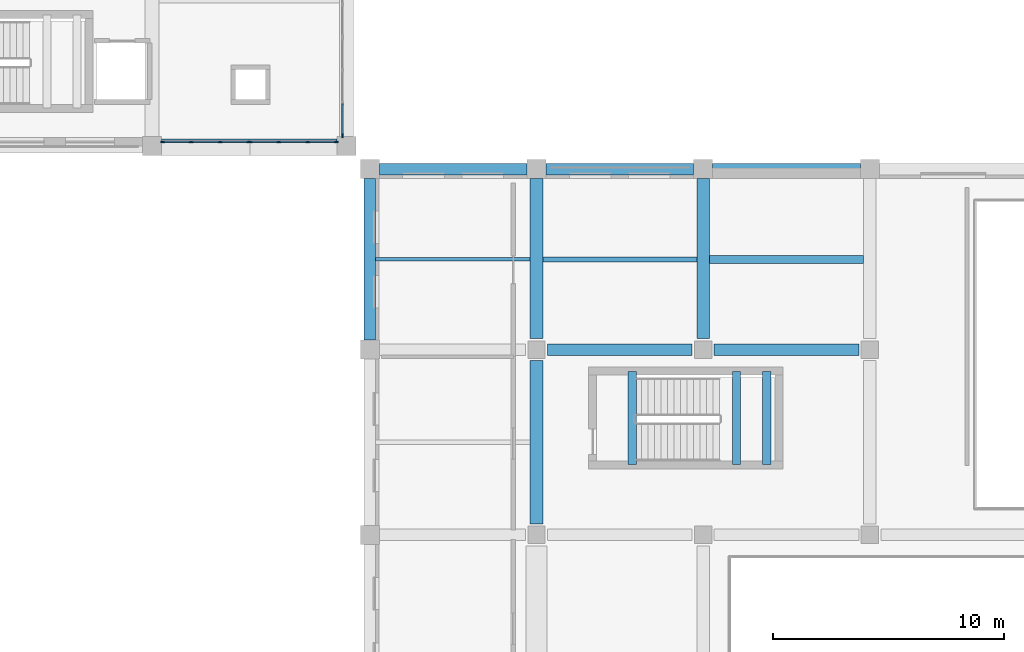
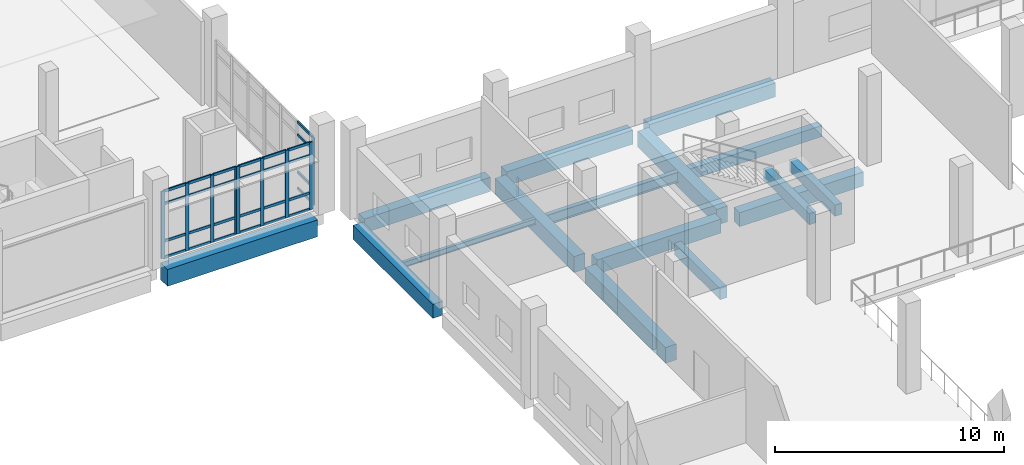
# One storey, part 18 of 73: 37 members, 16 beams, 3 elements without a shape of their own.
"""IFC4 building model written with IfcOpenShell, lengths in metres."""

from ifc_helpers import new_model, si_unit, direction, frame, origin, origin_2d, place, context, subcontext, project, spatial, rectangle, i_section, extrude, material, layer, layer_set, material_profile, profile_set, type_object, element, aggregate, save


model = new_model("IFC4")

# Units and contexts
model_context = context("Model", 3, precision=1e-05, world=origin(), true_north=direction((0.0, 1.0)))
body_context = subcontext(model_context, "Body", "Model", "MODEL_VIEW")
ifc_project = project(units=[si_unit("LENGTHUNIT", "METRE"), si_unit("AREAUNIT", "SQUARE_METRE"), si_unit("VOLUMEUNIT", "CUBIC_METRE"), si_unit("PLANEANGLEUNIT", "RADIAN"), si_unit("MASSUNIT", "GRAM", prefix="KILO")], contexts=[model_context])

# Site, building, storey
site_placement = place(None, origin())
site = spatial("IfcSite", under=ifc_project, at=site_placement, CompositionType="ELEMENT")
building_placement = place(site_placement, origin())
building = spatial("IfcBuilding", under=site, at=building_placement, Name="Kelarvand Opera House", CompositionType="ELEMENT")
storey_placement = place(building_placement, frame((0.0, 0.0, 10.199951171875)))
storey = spatial("IfcBuildingStorey", under=building, at=storey_placement, Name="L02", CompositionType="ELEMENT", Elevation=10.199951171875)

# Curtain wall, member
ifc_material_1 = material(Name="Thermally broken aluminium and low-E glazing", Category="aluminium")
ifc_layer_1 = layer(ifc_material_1, 0.179931640625, Name="Thermally broken aluminium and low-E glazing", Category="aluminium")
ifc_layer_set_1 = layer_set([ifc_layer_1], Name="Thermally broken aluminium and low-E glazing")
curtain_wall_type_1 = type_object("IfcCurtainWallType", Name="Unitised Low-E Curtain Wall 4276x3600 Mod 1350 CWF-16", PredefinedType="USERDEFINED", material=ifc_layer_set_1)
curtain_wall_1_placement = place(storey_placement, origin())
curtain_wall_1 = element("IfcCurtainWall", 1, at=curtain_wall_1_placement, inside=storey, type_object=curtain_wall_type_1, Name="V3 L02 Curtain Wall CWF-16 (70)", ObjectType="UNITISED CURTAIN WALL", PredefinedType="USERDEFINED")
ifc_material_2 = material(Name="Thermally broken anodised aluminium", Category="aluminium")
ifc_material_profile_1 = material_profile(ifc_material_2, rectangle(XDim=0.06494140625, YDim=0.179931640625, at=origin_2d()), Name="ALU MULLION 65x180", Category="aluminium")
ifc_profile_set_1 = profile_set([ifc_material_profile_1], Name="Thermally broken anodised aluminium")
member_type_1 = type_object("IfcMemberType", Name="Curtain Wall Mullion 65x180 Aluminium", PredefinedType="MULLION", material=ifc_profile_set_1)
member_1_placement = place(storey_placement, frame((50.820068359375, 87.652587890625, 0.0), z_axis=(0.0, 0.0, 1.0), x_axis=(1.0, 0.0, 0.0)))
member_1 = element("IfcMember", 2, at=member_1_placement, type_object=member_type_1, Name="CWF-16 mullion 4", PredefinedType="MULLION", context=body_context, shape_type="SweptSolid", body=[
    extrude(rectangle(XDim=0.06494140625, YDim=0.179931640625, at=origin_2d()), origin(), (0.0, 0.0, 1.0), 3.60009765625),
])

# Curtain wall, members
ifc_layer_2 = layer(ifc_material_1, 0.179931640625, Name="Thermally broken aluminium and low-E glazing", Category="aluminium")
ifc_layer_set_2 = layer_set([ifc_layer_2], Name="Thermally broken aluminium and low-E glazing")
curtain_wall_type_2 = type_object("IfcCurtainWallType", Name="Unitised Low-E Curtain Wall 3818x3600 Mod 1350 CWF-18", PredefinedType="USERDEFINED", material=ifc_layer_set_2)
curtain_wall_2_placement = place(storey_placement, origin())
curtain_wall_2 = element("IfcCurtainWall", 3, at=curtain_wall_2_placement, inside=storey, type_object=curtain_wall_type_2, Name="V3 L02 Curtain Wall CWF-18 (81)", ObjectType="UNITISED CURTAIN WALL", PredefinedType="USERDEFINED")
member_2_placement = place(storey_placement, frame((50.547607421875, 87.3798828125, 0.0), z_axis=(0.0, 0.0, 1.0), x_axis=(0.0, -1.0, 0.0)))
member_2 = element("IfcMember", 4, at=member_2_placement, type_object=member_type_1, Name="CWF-18 mullion 1", PredefinedType="MULLION", context=body_context, shape_type="SweptSolid", body=[
    extrude(rectangle(XDim=0.06494140625, YDim=0.179931640625, at=origin_2d()), origin(), (0.0, 0.0, 1.0), 3.60009765625),
])
member_3_placement = place(storey_placement, frame((49.3212890625, 87.3798828125, 0.0), z_axis=(0.0, 0.0, 1.0), x_axis=(0.0, -1.0, 0.0)))
member_3 = element("IfcMember", 5, at=member_3_placement, type_object=member_type_1, Name="CWF-18 mullion 2", PredefinedType="MULLION", context=body_context, shape_type="SweptSolid", body=[
    extrude(rectangle(XDim=0.06494140625, YDim=0.179931640625, at=origin_2d()), origin(), (0.0, 0.0, 1.0), 3.60009765625),
])
member_4_placement = place(storey_placement, frame((48.062744140625, 87.3798828125, 0.0), z_axis=(0.0, 0.0, 1.0), x_axis=(0.0, -1.0, 0.0)))
member_4 = element("IfcMember", 6, at=member_4_placement, type_object=member_type_1, Name="CWF-18 mullion 3", PredefinedType="MULLION", context=body_context, shape_type="SweptSolid", body=[
    extrude(rectangle(XDim=0.06494140625, YDim=0.179931640625, at=origin_2d()), origin(), (0.0, 0.0, 1.0), 3.60009765625),
])
member_5_placement = place(storey_placement, frame((46.83642578125, 87.3798828125, 0.0), z_axis=(0.0, 0.0, 1.0), x_axis=(0.0, -1.0, 0.0)))
member_5 = element("IfcMember", 7, at=member_5_placement, type_object=member_type_1, Name="CWF-18 mullion 4", PredefinedType="MULLION", context=body_context, shape_type="SweptSolid", body=[
    extrude(rectangle(XDim=0.06494140625, YDim=0.179931640625, at=origin_2d()), origin(), (0.0, 0.0, 1.0), 3.60009765625),
])

curtain_wall_3_placement = place(storey_placement, origin())
curtain_wall_3 = element("IfcCurtainWall", 8, at=curtain_wall_3_placement, inside=storey, type_object=curtain_wall_type_2, Name="V3 L02 Curtain Wall CWF-18 (82)", ObjectType="UNITISED CURTAIN WALL", PredefinedType="USERDEFINED")
member_6_placement = place(storey_placement, frame((46.767578125, 87.3798828125, 0.0), z_axis=(0.0, 0.0, 1.0), x_axis=(0.0, -1.0, 0.0)))
member_6 = element("IfcMember", 9, at=member_6_placement, type_object=member_type_1, Name="CWF-18 mullion 1", PredefinedType="MULLION", context=body_context, shape_type="SweptSolid", body=[
    extrude(rectangle(XDim=0.06494140625, YDim=0.179931640625, at=origin_2d()), origin(), (0.0, 0.0, 1.0), 3.60009765625),
])
member_7_placement = place(storey_placement, frame((45.5400390625, 87.3798828125, 0.0), z_axis=(0.0, 0.0, 1.0), x_axis=(0.0, -1.0, 0.0)))
member_7 = element("IfcMember", 10, at=member_7_placement, type_object=member_type_1, Name="CWF-18 mullion 2", PredefinedType="MULLION", context=body_context, shape_type="SweptSolid", body=[
    extrude(rectangle(XDim=0.06494140625, YDim=0.179931640625, at=origin_2d()), origin(), (0.0, 0.0, 1.0), 3.60009765625),
])
member_8_placement = place(storey_placement, frame((44.280029296875, 87.3798828125, 0.0), z_axis=(0.0, 0.0, 1.0), x_axis=(0.0, -1.0, 0.0)))
member_8 = element("IfcMember", 11, at=member_8_placement, type_object=member_type_1, Name="CWF-18 mullion 3", PredefinedType="MULLION", context=body_context, shape_type="SweptSolid", body=[
    extrude(rectangle(XDim=0.06494140625, YDim=0.179931640625, at=origin_2d()), origin(), (0.0, 0.0, 1.0), 3.60009765625),
])
member_9_placement = place(storey_placement, frame((43.052490234375, 87.3798828125, 0.0), z_axis=(0.0, 0.0, 1.0), x_axis=(0.0, -1.0, 0.0)))
member_9 = element("IfcMember", 12, at=member_9_placement, type_object=member_type_1, Name="CWF-18 mullion 4", PredefinedType="MULLION", context=body_context, shape_type="SweptSolid", body=[
    extrude(rectangle(XDim=0.06494140625, YDim=0.179931640625, at=origin_2d()), origin(), (0.0, 0.0, 1.0), 3.60009765625),
])

# Member
ifc_material_profile_2 = material_profile(ifc_material_2, rectangle(XDim=0.06494140625, YDim=0.139892578125, at=origin_2d()), Name="ALU TRANSOM 65x140", Category="aluminium")
ifc_profile_set_2 = profile_set([ifc_material_profile_2], Name="Thermally broken anodised aluminium")
member_type_2 = type_object("IfcMemberType", Name="Curtain Wall Transom 65x140 Aluminium", PredefinedType="USERDEFINED", material=ifc_profile_set_2)
member_10_placement = place(storey_placement, frame((50.820068359375, 89.01416015625, 0.032470703125), z_axis=(0.0, -1.0, 0.0), x_axis=(1.0, 0.0, 0.0)))
member_10 = element("IfcMember", 13, at=member_10_placement, type_object=member_type_2, Name="CWF-16 transom 3.1", ObjectType="TRANSOM", PredefinedType="USERDEFINED", context=body_context, shape_type="SweptSolid", body=[
    extrude(rectangle(XDim=0.06494140625, YDim=0.139892578125, at=origin_2d()), origin(), (0.0, 0.0, 1.0), 1.3291015625),
])

member_11_placement = place(storey_placement, frame((50.820068359375, 89.01416015625, 0.900146484375), z_axis=(0.0, -1.0, 0.0), x_axis=(1.0, 0.0, 0.0)))
member_11 = element("IfcMember", 14, at=member_11_placement, type_object=member_type_2, Name="CWF-16 transom 3.2", ObjectType="TRANSOM", PredefinedType="USERDEFINED", context=body_context, shape_type="SweptSolid", body=[
    extrude(rectangle(XDim=0.06494140625, YDim=0.139892578125, at=origin_2d()), origin(), (0.0, 0.0, 1.0), 1.3291015625),
])

member_12_placement = place(storey_placement, frame((50.820068359375, 89.01416015625, 2.900146484375), z_axis=(0.0, -1.0, 0.0), x_axis=(1.0, 0.0, 0.0)))
member_12 = element("IfcMember", 15, at=member_12_placement, type_object=member_type_2, Name="CWF-16 transom 3.3", ObjectType="TRANSOM", PredefinedType="USERDEFINED", context=body_context, shape_type="SweptSolid", body=[
    extrude(rectangle(XDim=0.06494140625, YDim=0.139892578125, at=origin_2d()), origin(), (0.0, 0.0, 1.0), 1.3291015625),
])

member_13_placement = place(storey_placement, frame((50.820068359375, 89.01416015625, 3.567626953125), z_axis=(0.0, -1.0, 0.0), x_axis=(1.0, 0.0, 0.0)))
member_13 = element("IfcMember", 16, at=member_13_placement, type_object=member_type_2, Name="CWF-16 transom 3.4", ObjectType="TRANSOM", PredefinedType="USERDEFINED", context=body_context, shape_type="SweptSolid", body=[
    extrude(rectangle(XDim=0.06494140625, YDim=0.139892578125, at=origin_2d()), origin(), (0.0, 0.0, 1.0), 1.3291015625),
])

aggregate(curtain_wall_1, [member_1, member_10, member_11, member_12, member_13])

member_14_placement = place(storey_placement, frame((50.514892578125, 87.3798828125, 0.032470703125), z_axis=(-1.0, 0.0, 0.0), x_axis=(0.0, -1.0, 0.0)))
member_14 = element("IfcMember", 17, at=member_14_placement, type_object=member_type_2, Name="CWF-18 transom 1.1", ObjectType="TRANSOM", PredefinedType="USERDEFINED", context=body_context, shape_type="SweptSolid", body=[
    extrude(rectangle(XDim=0.06494140625, YDim=0.139892578125, at=origin_2d()), origin(), (0.0, 0.0, 1.0), 1.1611328125),
])

member_15_placement = place(storey_placement, frame((50.514892578125, 87.3798828125, 0.900146484375), z_axis=(-1.0, 0.0, 0.0), x_axis=(0.0, -1.0, 0.0)))
member_15 = element("IfcMember", 18, at=member_15_placement, type_object=member_type_2, Name="CWF-18 transom 1.2", ObjectType="TRANSOM", PredefinedType="USERDEFINED", context=body_context, shape_type="SweptSolid", body=[
    extrude(rectangle(XDim=0.06494140625, YDim=0.139892578125, at=origin_2d()), origin(), (0.0, 0.0, 1.0), 1.1611328125),
])

member_16_placement = place(storey_placement, frame((50.514892578125, 87.3798828125, 2.900146484375), z_axis=(-1.0, 0.0, 0.0), x_axis=(0.0, -1.0, 0.0)))
member_16 = element("IfcMember", 19, at=member_16_placement, type_object=member_type_2, Name="CWF-18 transom 1.3", ObjectType="TRANSOM", PredefinedType="USERDEFINED", context=body_context, shape_type="SweptSolid", body=[
    extrude(rectangle(XDim=0.06494140625, YDim=0.139892578125, at=origin_2d()), origin(), (0.0, 0.0, 1.0), 1.1611328125),
])

member_17_placement = place(storey_placement, frame((50.514892578125, 87.3798828125, 3.567626953125), z_axis=(-1.0, 0.0, 0.0), x_axis=(0.0, -1.0, 0.0)))
member_17 = element("IfcMember", 20, at=member_17_placement, type_object=member_type_2, Name="CWF-18 transom 1.4", ObjectType="TRANSOM", PredefinedType="USERDEFINED", context=body_context, shape_type="SweptSolid", body=[
    extrude(rectangle(XDim=0.06494140625, YDim=0.139892578125, at=origin_2d()), origin(), (0.0, 0.0, 1.0), 1.1611328125),
])

member_18_placement = place(storey_placement, frame((49.288818359375, 87.3798828125, 0.032470703125), z_axis=(-1.0, 0.0, 0.0), x_axis=(0.0, -1.0, 0.0)))
member_18 = element("IfcMember", 21, at=member_18_placement, type_object=member_type_2, Name="CWF-18 transom 2.1", ObjectType="TRANSOM", PredefinedType="USERDEFINED", context=body_context, shape_type="SweptSolid", body=[
    extrude(rectangle(XDim=0.06494140625, YDim=0.139892578125, at=origin_2d()), origin(), (0.0, 0.0, 1.0), 1.193603515625),
])

member_19_placement = place(storey_placement, frame((49.288818359375, 87.3798828125, 0.900146484375), z_axis=(-1.0, 0.0, 0.0), x_axis=(0.0, -1.0, 0.0)))
member_19 = element("IfcMember", 22, at=member_19_placement, type_object=member_type_2, Name="CWF-18 transom 2.2", ObjectType="TRANSOM", PredefinedType="USERDEFINED", context=body_context, shape_type="SweptSolid", body=[
    extrude(rectangle(XDim=0.06494140625, YDim=0.139892578125, at=origin_2d()), origin(), (0.0, 0.0, 1.0), 1.193603515625),
])

member_20_placement = place(storey_placement, frame((49.288818359375, 87.3798828125, 2.900146484375), z_axis=(-1.0, 0.0, 0.0), x_axis=(0.0, -1.0, 0.0)))
member_20 = element("IfcMember", 23, at=member_20_placement, type_object=member_type_2, Name="CWF-18 transom 2.3", ObjectType="TRANSOM", PredefinedType="USERDEFINED", context=body_context, shape_type="SweptSolid", body=[
    extrude(rectangle(XDim=0.06494140625, YDim=0.139892578125, at=origin_2d()), origin(), (0.0, 0.0, 1.0), 1.193603515625),
])

member_21_placement = place(storey_placement, frame((49.288818359375, 87.3798828125, 3.567626953125), z_axis=(-1.0, 0.0, 0.0), x_axis=(0.0, -1.0, 0.0)))
member_21 = element("IfcMember", 24, at=member_21_placement, type_object=member_type_2, Name="CWF-18 transom 2.4", ObjectType="TRANSOM", PredefinedType="USERDEFINED", context=body_context, shape_type="SweptSolid", body=[
    extrude(rectangle(XDim=0.06494140625, YDim=0.139892578125, at=origin_2d()), origin(), (0.0, 0.0, 1.0), 1.193603515625),
])

member_22_placement = place(storey_placement, frame((48.0302734375, 87.3798828125, 0.032470703125), z_axis=(-1.0, 0.0, 0.0), x_axis=(0.0, -1.0, 0.0)))
member_22 = element("IfcMember", 25, at=member_22_placement, type_object=member_type_2, Name="CWF-18 transom 3.1", ObjectType="TRANSOM", PredefinedType="USERDEFINED", context=body_context, shape_type="SweptSolid", body=[
    extrude(rectangle(XDim=0.06494140625, YDim=0.139892578125, at=origin_2d()), origin(), (0.0, 0.0, 1.0), 1.161376953125),
])

member_23_placement = place(storey_placement, frame((48.0302734375, 87.3798828125, 0.900146484375), z_axis=(-1.0, 0.0, 0.0), x_axis=(0.0, -1.0, 0.0)))
member_23 = element("IfcMember", 26, at=member_23_placement, type_object=member_type_2, Name="CWF-18 transom 3.2", ObjectType="TRANSOM", PredefinedType="USERDEFINED", context=body_context, shape_type="SweptSolid", body=[
    extrude(rectangle(XDim=0.06494140625, YDim=0.139892578125, at=origin_2d()), origin(), (0.0, 0.0, 1.0), 1.161376953125),
])

member_24_placement = place(storey_placement, frame((48.0302734375, 87.3798828125, 2.900146484375), z_axis=(-1.0, 0.0, 0.0), x_axis=(0.0, -1.0, 0.0)))
member_24 = element("IfcMember", 27, at=member_24_placement, type_object=member_type_2, Name="CWF-18 transom 3.3", ObjectType="TRANSOM", PredefinedType="USERDEFINED", context=body_context, shape_type="SweptSolid", body=[
    extrude(rectangle(XDim=0.06494140625, YDim=0.139892578125, at=origin_2d()), origin(), (0.0, 0.0, 1.0), 1.161376953125),
])

member_25_placement = place(storey_placement, frame((48.0302734375, 87.3798828125, 3.567626953125), z_axis=(-1.0, 0.0, 0.0), x_axis=(0.0, -1.0, 0.0)))
member_25 = element("IfcMember", 28, at=member_25_placement, type_object=member_type_2, Name="CWF-18 transom 3.4", ObjectType="TRANSOM", PredefinedType="USERDEFINED", context=body_context, shape_type="SweptSolid", body=[
    extrude(rectangle(XDim=0.06494140625, YDim=0.139892578125, at=origin_2d()), origin(), (0.0, 0.0, 1.0), 1.161376953125),
])

aggregate(curtain_wall_2, [member_2, member_3, member_4, member_5, member_14, member_15, member_16, member_17, member_18, member_19, member_20, member_21, member_22, member_23, member_24, member_25])

member_26_placement = place(storey_placement, frame((46.735107421875, 87.3798828125, 0.032470703125), z_axis=(-1.0, 0.0, 0.0), x_axis=(0.0, -1.0, 0.0)))
member_26 = element("IfcMember", 29, at=member_26_placement, type_object=member_type_2, Name="CWF-18 transom 1.1", ObjectType="TRANSOM", PredefinedType="USERDEFINED", context=body_context, shape_type="SweptSolid", body=[
    extrude(rectangle(XDim=0.06494140625, YDim=0.139892578125, at=origin_2d()), origin(), (0.0, 0.0, 1.0), 1.16259765625),
])

member_27_placement = place(storey_placement, frame((46.735107421875, 87.3798828125, 0.900146484375), z_axis=(-1.0, 0.0, 0.0), x_axis=(0.0, -1.0, 0.0)))
member_27 = element("IfcMember", 30, at=member_27_placement, type_object=member_type_2, Name="CWF-18 transom 1.2", ObjectType="TRANSOM", PredefinedType="USERDEFINED", context=body_context, shape_type="SweptSolid", body=[
    extrude(rectangle(XDim=0.06494140625, YDim=0.139892578125, at=origin_2d()), origin(), (0.0, 0.0, 1.0), 1.16259765625),
])

member_28_placement = place(storey_placement, frame((46.735107421875, 87.3798828125, 2.900146484375), z_axis=(-1.0, 0.0, 0.0), x_axis=(0.0, -1.0, 0.0)))
member_28 = element("IfcMember", 31, at=member_28_placement, type_object=member_type_2, Name="CWF-18 transom 1.3", ObjectType="TRANSOM", PredefinedType="USERDEFINED", context=body_context, shape_type="SweptSolid", body=[
    extrude(rectangle(XDim=0.06494140625, YDim=0.139892578125, at=origin_2d()), origin(), (0.0, 0.0, 1.0), 1.16259765625),
])

member_29_placement = place(storey_placement, frame((46.735107421875, 87.3798828125, 3.567626953125), z_axis=(-1.0, 0.0, 0.0), x_axis=(0.0, -1.0, 0.0)))
member_29 = element("IfcMember", 32, at=member_29_placement, type_object=member_type_2, Name="CWF-18 transom 1.4", ObjectType="TRANSOM", PredefinedType="USERDEFINED", context=body_context, shape_type="SweptSolid", body=[
    extrude(rectangle(XDim=0.06494140625, YDim=0.139892578125, at=origin_2d()), origin(), (0.0, 0.0, 1.0), 1.16259765625),
])

member_30_placement = place(storey_placement, frame((45.507568359375, 87.3798828125, 0.032470703125), z_axis=(-1.0, 0.0, 0.0), x_axis=(0.0, -1.0, 0.0)))
member_30 = element("IfcMember", 33, at=member_30_placement, type_object=member_type_2, Name="CWF-18 transom 2.1", ObjectType="TRANSOM", PredefinedType="USERDEFINED", context=body_context, shape_type="SweptSolid", body=[
    extrude(rectangle(XDim=0.06494140625, YDim=0.139892578125, at=origin_2d()), origin(), (0.0, 0.0, 1.0), 1.195068359375),
])

member_31_placement = place(storey_placement, frame((45.507568359375, 87.3798828125, 0.900146484375), z_axis=(-1.0, 0.0, 0.0), x_axis=(0.0, -1.0, 0.0)))
member_31 = element("IfcMember", 34, at=member_31_placement, type_object=member_type_2, Name="CWF-18 transom 2.2", ObjectType="TRANSOM", PredefinedType="USERDEFINED", context=body_context, shape_type="SweptSolid", body=[
    extrude(rectangle(XDim=0.06494140625, YDim=0.139892578125, at=origin_2d()), origin(), (0.0, 0.0, 1.0), 1.195068359375),
])

member_32_placement = place(storey_placement, frame((45.507568359375, 87.3798828125, 2.900146484375), z_axis=(-1.0, 0.0, 0.0), x_axis=(0.0, -1.0, 0.0)))
member_32 = element("IfcMember", 35, at=member_32_placement, type_object=member_type_2, Name="CWF-18 transom 2.3", ObjectType="TRANSOM", PredefinedType="USERDEFINED", context=body_context, shape_type="SweptSolid", body=[
    extrude(rectangle(XDim=0.06494140625, YDim=0.139892578125, at=origin_2d()), origin(), (0.0, 0.0, 1.0), 1.195068359375),
])

member_33_placement = place(storey_placement, frame((45.507568359375, 87.3798828125, 3.567626953125), z_axis=(-1.0, 0.0, 0.0), x_axis=(0.0, -1.0, 0.0)))
member_33 = element("IfcMember", 36, at=member_33_placement, type_object=member_type_2, Name="CWF-18 transom 2.4", ObjectType="TRANSOM", PredefinedType="USERDEFINED", context=body_context, shape_type="SweptSolid", body=[
    extrude(rectangle(XDim=0.06494140625, YDim=0.139892578125, at=origin_2d()), origin(), (0.0, 0.0, 1.0), 1.195068359375),
])

member_34_placement = place(storey_placement, frame((44.24755859375, 87.3798828125, 0.032470703125), z_axis=(-1.0, 0.0, 0.0), x_axis=(0.0, -1.0, 0.0)))
member_34 = element("IfcMember", 37, at=member_34_placement, type_object=member_type_2, Name="CWF-18 transom 3.1", ObjectType="TRANSOM", PredefinedType="USERDEFINED", context=body_context, shape_type="SweptSolid", body=[
    extrude(rectangle(XDim=0.06494140625, YDim=0.139892578125, at=origin_2d()), origin(), (0.0, 0.0, 1.0), 1.16259765625),
])

member_35_placement = place(storey_placement, frame((44.24755859375, 87.3798828125, 0.900146484375), z_axis=(-1.0, 0.0, 0.0), x_axis=(0.0, -1.0, 0.0)))
member_35 = element("IfcMember", 38, at=member_35_placement, type_object=member_type_2, Name="CWF-18 transom 3.2", ObjectType="TRANSOM", PredefinedType="USERDEFINED", context=body_context, shape_type="SweptSolid", body=[
    extrude(rectangle(XDim=0.06494140625, YDim=0.139892578125, at=origin_2d()), origin(), (0.0, 0.0, 1.0), 1.16259765625),
])

member_36_placement = place(storey_placement, frame((44.24755859375, 87.3798828125, 2.900146484375), z_axis=(-1.0, 0.0, 0.0), x_axis=(0.0, -1.0, 0.0)))
member_36 = element("IfcMember", 39, at=member_36_placement, type_object=member_type_2, Name="CWF-18 transom 3.3", ObjectType="TRANSOM", PredefinedType="USERDEFINED", context=body_context, shape_type="SweptSolid", body=[
    extrude(rectangle(XDim=0.06494140625, YDim=0.139892578125, at=origin_2d()), origin(), (0.0, 0.0, 1.0), 1.16259765625),
])

member_37_placement = place(storey_placement, frame((44.24755859375, 87.3798828125, 3.567626953125), z_axis=(-1.0, 0.0, 0.0), x_axis=(0.0, -1.0, 0.0)))
member_37 = element("IfcMember", 40, at=member_37_placement, type_object=member_type_2, Name="CWF-18 transom 3.4", ObjectType="TRANSOM", PredefinedType="USERDEFINED", context=body_context, shape_type="SweptSolid", body=[
    extrude(rectangle(XDim=0.06494140625, YDim=0.139892578125, at=origin_2d()), origin(), (0.0, 0.0, 1.0), 1.16259765625),
])

aggregate(curtain_wall_3, [member_6, member_7, member_8, member_9, member_26, member_27, member_28, member_29, member_30, member_31, member_32, member_33, member_34, member_35, member_36, member_37])

# Beams
ifc_material_3 = material(Name="Concrete C35/45", Category="concrete")
ifc_material_profile_3 = material_profile(ifc_material_3, rectangle(XDim=0.35009765625, YDim=0.60009765625, at=origin_2d()), Name="RC 350x600", Category="concrete")
ifc_profile_set_3 = profile_set([ifc_material_profile_3], Name="Concrete C35/45")
beam_type_1 = type_object("IfcBeamType", Name="Structural Beam RC 350x600 BM-RC350x600", PredefinedType="BEAM", material=ifc_profile_set_3)
beam_1_placement = place(storey_placement, frame((66.675048828125, 82.300048828125, -0.619873046875), z_axis=(1.0, 0.0, 0.0), x_axis=(0.0, 1.0, 0.0)))
element("IfcBeam", 41, at=beam_1_placement, inside=storey, type_object=beam_type_1, Name="V2 L02 Beam BM-RC350x600", PredefinedType="BEAM", context=body_context, shape_type="SweptSolid", body=[
    extrude(rectangle(XDim=0.35009765625, YDim=0.60009765625, at=origin_2d()), origin(), (0.0, 0.0, 1.0), 6.64990234375),
])
for number, where, z_axis, x_axis, name in (
    (42, (63.340087890625, 73.449951171875, -0.52001953125), (0.0, 1.0, 0.0), (-1.0, 0.0, 0.0), "C3 Stair Landing Support Beam L02"),
    (43, (67.85009765625, 73.449951171875, 1.900146484375), (0.0, 1.0, 0.0), (-1.0, 0.0, 0.0), "C3 Stair Half-Landing Beam 1 L02"),
    (44, (69.14990234375, 73.449951171875, 1.900146484375), (0.0, 1.0, 0.0), (-1.0, 0.0, 0.0), "C3 Stair Half-Landing Beam 2 L02"),
):
    element("IfcBeam", number, at=place(storey_placement, frame(where, z_axis=z_axis, x_axis=x_axis)), inside=storey, type_object=beam_type_1, Name=name, PredefinedType="BEAM", context=body_context, shape_type="SweptSolid", body=[
        extrude(rectangle(XDim=0.35009765625, YDim=0.60009765625, at=origin_2d()), origin(), (0.0, 0.0, 1.0), 4.0),
    ])
ifc_material_4 = material(Name="Concrete C40/50", Category="concrete")
ifc_material_profile_4 = material_profile(ifc_material_4, rectangle(XDim=0.5, YDim=0.75, at=origin_2d()), Name="RC 500x750", Category="concrete")
ifc_profile_set_4 = profile_set([ifc_material_profile_4], Name="Concrete C40/50")
beam_type_2 = type_object("IfcBeamType", Name="Structural Beam RC 500x750 BM-RC500x750", PredefinedType="BEAM", material=ifc_profile_set_4)
for number, where, z_axis, x_axis, name in (
    (45, (59.675048828125, 78.39990234375, -0.695068359375), (1.0, 0.0, 0.0), (0.0, 1.0, 0.0), "V2 L02 Beam BM-RC500x750"),
    (46, (66.875, 78.39990234375, -0.695068359375), (1.0, 0.0, 0.0), (0.0, 1.0, 0.0), "V2 L02 Beam BM-RC500x750"),
):
    element("IfcBeam", number, at=place(storey_placement, frame(where, z_axis=z_axis, x_axis=x_axis)), inside=storey, type_object=beam_type_2, Name=name, PredefinedType="BEAM", context=body_context, shape_type="SweptSolid", body=[
        extrude(rectangle(XDim=0.5, YDim=0.75, at=origin_2d()), origin(), (0.0, 0.0, 1.0), 6.25),
    ])
ifc_material_profile_5 = material_profile(ifc_material_4, rectangle(XDim=0.550048828125, YDim=0.85009765625, at=origin_2d()), Name="RC 550x850", Category="concrete")
ifc_profile_set_5 = profile_set([ifc_material_profile_5], Name="Concrete C40/50")
beam_type_3 = type_object("IfcBeamType", Name="Structural Beam RC 550x850 BM-RC550x850", PredefinedType="BEAM", material=ifc_profile_set_5)
beam_2_placement = place(storey_placement, frame((59.199951171875, 70.875, -0.744873046875), z_axis=(0.0, 1.0, 0.0), x_axis=(-1.0, 0.0, 0.0)))
element("IfcBeam", 47, at=beam_2_placement, inside=storey, type_object=beam_type_3, Name="V2 L02 Beam BM-RC550x850", PredefinedType="BEAM", context=body_context, shape_type="SweptSolid", body=[
    extrude(rectangle(XDim=0.550048828125, YDim=0.85009765625, at=origin_2d()), origin(), (0.0, 0.0, 1.0), 7.050048828125),
])
for number, where, z_axis, x_axis, name in (
    (48, (59.199951171875, 78.875, -0.744873046875), (0.0, 1.0, 0.0), (-1.0, 0.0, 0.0), "V2 L02 Beam BM-RC550x850"),
    (49, (66.39990234375, 78.875, -0.744873046875), (0.0, 1.0, 0.0), (-1.0, 0.0, 0.0), "V2 L02 Beam BM-RC550x850"),
):
    element("IfcBeam", number, at=place(storey_placement, frame(where, z_axis=z_axis, x_axis=x_axis)), inside=storey, type_object=beam_type_3, Name=name, PredefinedType="BEAM", context=body_context, shape_type="SweptSolid", body=[
        extrude(rectangle(XDim=0.550048828125, YDim=0.85009765625, at=origin_2d()), origin(), (0.0, 0.0, 1.0), 6.9150390625),
    ])
ifc_material_5 = material(Name="Steel S355", Category="steel")
ifc_material_profile_6 = material_profile(ifc_material_5, i_section(OverallWidth=0.14990234375, OverallDepth=0.300048828125, WebThickness=0.007080078125, FlangeThickness=0.0107421875, at=origin_2d()), Name="IPE 300", Category="steel")
ifc_profile_set_6 = profile_set([ifc_material_profile_6], Name="Steel S355")
beam_type_4 = type_object("IfcBeamType", Name="Structural Joist IPE 300 JS-IPE300", PredefinedType="JOIST", material=ifc_profile_set_6)
beam_3_placement = place(storey_placement, frame((52.25, 82.300048828125, -0.469970703125), z_axis=(1.0, 0.0, 0.0), x_axis=(0.0, 1.0, 0.0)))
element("IfcBeam", 50, at=beam_3_placement, inside=storey, type_object=beam_type_4, Name="V2 L02 Beam JS-IPE300", PredefinedType="JOIST", context=body_context, shape_type="SweptSolid", body=[
    extrude(i_section(OverallWidth=0.14990234375, OverallDepth=0.300048828125, WebThickness=0.007080078125, FlangeThickness=0.0107421875, at=origin_2d()), origin(), (0.0, 0.0, 1.0), 6.675048828125),
])
ifc_material_profile_7 = material_profile(ifc_material_5, i_section(OverallWidth=0.2099609375, OverallDepth=0.550048828125, WebThickness=0.010986328125, FlangeThickness=0.01708984375, at=origin_2d()), Name="IPE 550", Category="steel")
ifc_profile_set_7 = profile_set([ifc_material_profile_7], Name="Steel S355")
beam_type_5 = type_object("IfcBeamType", Name="Structural Joist IPE 550 JS-IPE550", PredefinedType="JOIST", material=ifc_profile_set_7)
beam_4_placement = place(storey_placement, frame((59.47509765625, 82.300048828125, -0.594970703125), z_axis=(1.0, 0.0, 0.0), x_axis=(0.0, 1.0, 0.0)))
element("IfcBeam", 51, at=beam_4_placement, inside=storey, type_object=beam_type_5, Name="V2 L02 Beam JS-IPE550", PredefinedType="JOIST", context=body_context, shape_type="SweptSolid", body=[
    extrude(i_section(OverallWidth=0.2099609375, OverallDepth=0.550048828125, WebThickness=0.010986328125, FlangeThickness=0.01708984375, at=origin_2d()), origin(), (0.0, 0.0, 1.0), 6.64990234375),
])
ifc_material_profile_8 = material_profile(ifc_material_4, rectangle(XDim=0.5, YDim=0.75, at=origin_2d()), Name="RC 500x750", Category="concrete")
ifc_profile_set_8 = profile_set([ifc_material_profile_8], Name="Concrete C40/50")
beam_type_6 = type_object("IfcBeamType", Name="Structural Spandrel RC 500x750 SP-RC500x750E", PredefinedType="SPANDREL", material=ifc_profile_set_8)
beam_5_placement = place(storey_placement, frame((52.409912109375, 86.199951171875, -0.695068359375), z_axis=(1.0, 0.0, 0.0), x_axis=(0.0, 1.0, 0.0)))
element("IfcBeam", 52, at=beam_5_placement, inside=storey, type_object=beam_type_6, Name="V2 L02 Beam SP-RC500x750E", PredefinedType="SPANDREL", context=body_context, shape_type="SweptSolid", body=[
    extrude(rectangle(XDim=0.5, YDim=0.75, at=origin_2d()), origin(), (0.0, 0.0, 1.0), 6.380126953125),
])
for number, where, z_axis, x_axis, name in (
    (53, (59.610107421875, 86.199951171875, -0.695068359375), (1.0, 0.0, 0.0), (0.0, 1.0, 0.0), "V2 L02 Beam SP-RC500x750E"),
    (54, (66.81005859375, 86.199951171875, -0.695068359375), (1.0, 0.0, 0.0), (0.0, 1.0, 0.0), "V2 L02 Beam SP-RC500x750E"),
):
    element("IfcBeam", number, at=place(storey_placement, frame(where, z_axis=z_axis, x_axis=x_axis)), inside=storey, type_object=beam_type_6, Name=name, PredefinedType="SPANDREL", context=body_context, shape_type="SweptSolid", body=[
        extrude(rectangle(XDim=0.5, YDim=0.75, at=origin_2d()), origin(), (0.0, 0.0, 1.0), 6.3798828125),
    ])
beam_6_placement = place(storey_placement, frame((52.0, 78.81005859375, -0.695068359375), z_axis=(0.0, 1.0, 0.0), x_axis=(-1.0, 0.0, 0.0)))
element("IfcBeam", 55, at=beam_6_placement, inside=storey, type_object=beam_type_6, Name="V2 L02 Beam SP-RC500x750E", PredefinedType="SPANDREL", context=body_context, shape_type="SweptSolid", body=[
    extrude(rectangle(XDim=0.5, YDim=0.75, at=origin_2d()), origin(), (0.0, 0.0, 1.0), 6.97998046875),
])
ifc_material_profile_9 = material_profile(ifc_material_4, rectangle(XDim=0.60009765625, YDim=0.89990234375, at=origin_2d()), Name="RC 600x900", Category="concrete")
ifc_profile_set_9 = profile_set([ifc_material_profile_9], Name="Concrete C40/50")
beam_type_7 = type_object("IfcBeamType", Name="Structural Spandrel RC 600x900 SP-RC600x900E", PredefinedType="SPANDREL", material=ifc_profile_set_9)
beam_7_placement = place(storey_placement, frame((43.010009765625, 87.199951171875, -0.75), z_axis=(1.0, 0.0, 0.0), x_axis=(0.0, 1.0, 0.0)))
element("IfcBeam", 56, at=beam_7_placement, inside=storey, type_object=beam_type_7, Name="V3 L02 Beam SP-RC600x900E", PredefinedType="SPANDREL", context=body_context, shape_type="SweptSolid", body=[
    extrude(rectangle(XDim=0.60009765625, YDim=0.89990234375, at=origin_2d()), origin(), (0.0, 0.0, 1.0), 7.580078125),
])

save(model, "model.ifc")
